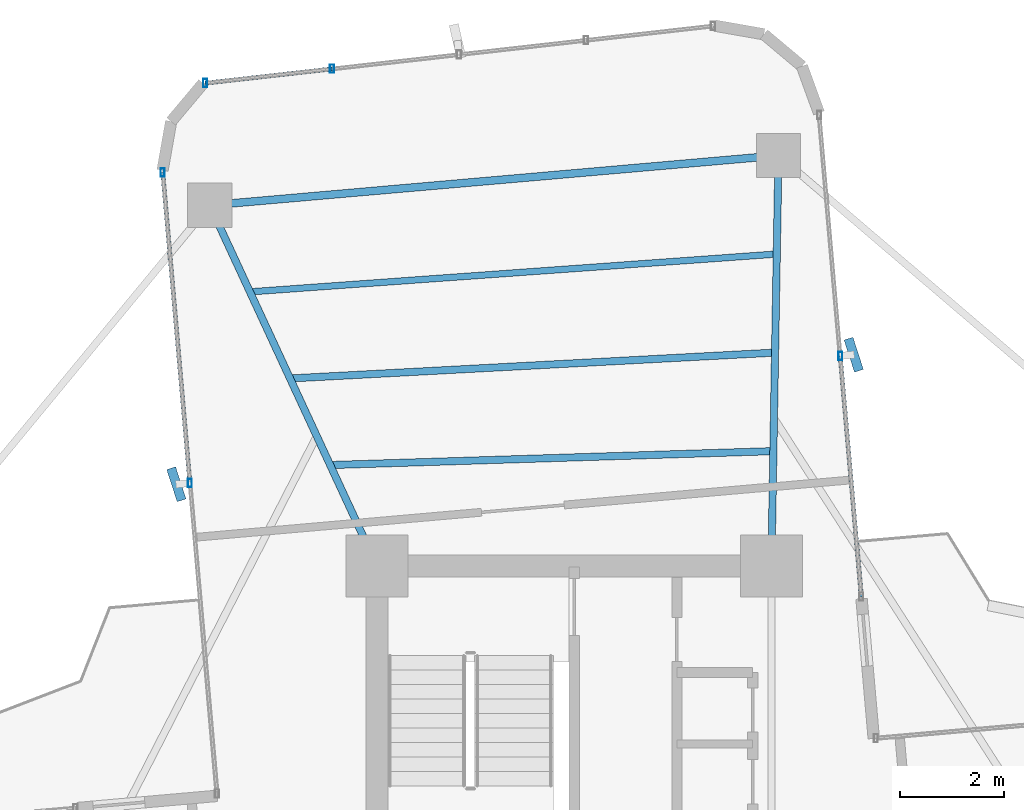
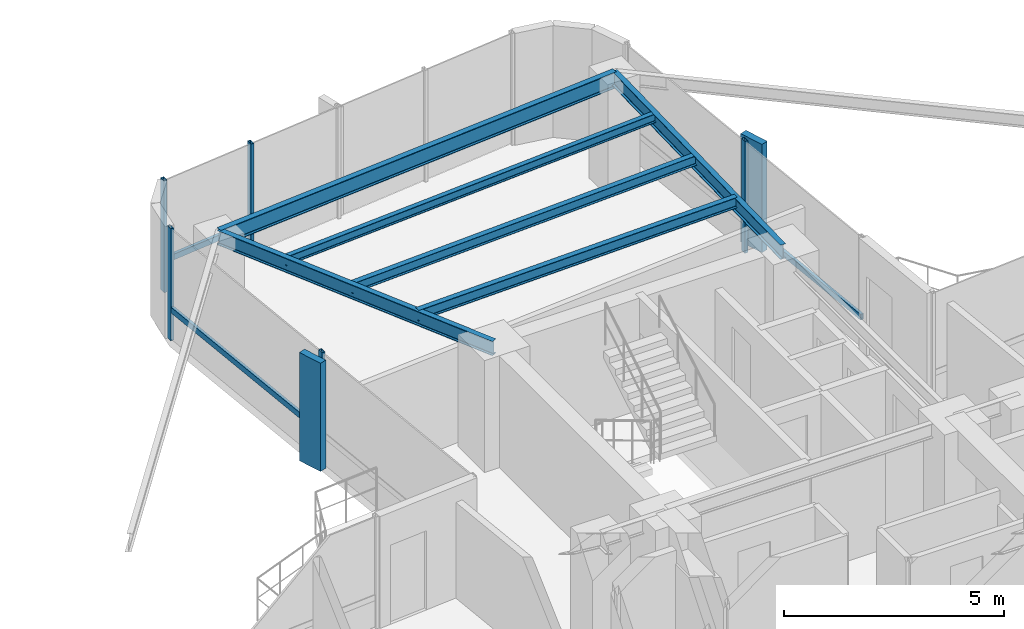
# One storey, part 16 of 24: 10 members, 6 beams, 3 elements without a shape of their own.
"""IFC4 building model written with IfcOpenShell, lengths in metres."""

import ifcopenshell
import ifcopenshell.guid

model = None  # the IFC model being written
_history = None  # IfcOwnerHistory: only IFC2X3 demands one
_inside = {}  # id of a spatial element -> (the spatial element, [elements in it])
_under = {}  # id of a project, library or spatial element -> (it, [spatial elements below it])
_declared = {}  # id of a project -> (the project, [libraries it declares])
_typed = {}  # id of a type object -> (the type object, [elements of that type])
_made_of = {}  # id of a material, layer set ... -> (it, [elements and type objects made of it])


def new_model(schema):
    """Start an empty IFC model of exactly this schema.

    Asked for "IFC4X3", IfcOpenShell would pick the latest addendum, in which some entities
    have other attributes; the version numbers below select the first issue.
    IFC2X3 requires an IfcOwnerHistory on every rooted entity: one is made here for all.
    """
    global model, _history
    if schema == "IFC4X3":
        model = ifcopenshell.file(schema_version=(4, 3, 0, 0))
    else:
        model = ifcopenshell.file(schema=schema)
    _inside.clear()
    _under.clear()
    _declared.clear()
    _typed.clear()
    _made_of.clear()
    _history = None
    if model.schema == "IFC2X3":
        org = make("IfcOrganization", Name="unknown")
        user = make(
            "IfcPersonAndOrganization",
            ThePerson=make("IfcPerson", FamilyName="unknown"),
            TheOrganization=org,
        )
        app = make(
            "IfcApplication",
            ApplicationDeveloper=org,
            Version="unknown",
            ApplicationFullName="unknown",
            ApplicationIdentifier="unknown",
        )
        _history = make(
            "IfcOwnerHistory",
            OwningUser=user,
            OwningApplication=app,
            ChangeAction="ADDED",
            CreationDate=0,
        )
    return model


def make(cls, **values):
    """One entity of the class cls with the attributes given. An attribute that is None is left unset."""
    return model.create_entity(
        cls, **{name: value for name, value in values.items() if value is not None}
    )


def rooted(cls, **values):
    """An entity with a GlobalId (a new one), such as an element, a storey or a relation."""
    return make(cls, GlobalId=ifcopenshell.guid.new(), OwnerHistory=_history, **values)


def si_unit(unit_type, name, prefix=None):
    """IfcSIUnit, for example si_unit("LENGTHUNIT", "METRE", prefix="MILLI")."""
    return make("IfcSIUnit", UnitType=unit_type, Prefix=prefix, Name=name)


def assignment(units):
    """IfcUnitAssignment: the units of a project."""
    return None if units is None else make("IfcUnitAssignment", Units=units)


def point(xyz):
    """IfcCartesianPoint."""
    return None if xyz is None else make("IfcCartesianPoint", Coordinates=xyz)


def direction(xyz):
    """IfcDirection."""
    return None if xyz is None else make("IfcDirection", DirectionRatios=xyz)


def frame(location, z_axis=None, x_axis=None):
    """IfcAxis2Placement3D, a coordinate frame: its origin and axes. An axis left out is left unset."""
    return make(
        "IfcAxis2Placement3D",
        Location=point(location),
        Axis=direction(z_axis),
        RefDirection=direction(x_axis),
    )


def frame_2d(location, x_axis=None):
    """IfcAxis2Placement2D, a coordinate frame in the plane: its origin and x axis."""
    return make(
        "IfcAxis2Placement2D", Location=point(location), RefDirection=direction(x_axis)
    )


def origin():
    """The frame at (0, 0, 0) with its axes left unset."""
    return frame((0.0, 0.0, 0.0))


def origin_2d():
    """The frame at (0, 0) in the plane with its x axis left unset."""
    return frame_2d((0.0, 0.0))


def place(relative_to, where):
    """IfcLocalPlacement: puts the frame where relative to a parent placement (None: the world)."""
    return make(
        "IfcLocalPlacement", PlacementRelTo=relative_to, RelativePlacement=where
    )


def context(
    kind, dimensions, precision=None, world=None, true_north=None, identifier=None
):
    """IfcGeometricRepresentationContext, for example the 3D "Model" context."""
    return make(
        "IfcGeometricRepresentationContext",
        ContextIdentifier=identifier,
        ContextType=kind,
        CoordinateSpaceDimension=dimensions,
        Precision=precision,
        WorldCoordinateSystem=world,
        TrueNorth=true_north,
    )


def subcontext(parent, identifier, kind, view, scale=None):
    """IfcGeometricRepresentationSubContext, for example "Body" below "Model"."""
    return make(
        "IfcGeometricRepresentationSubContext",
        ContextIdentifier=identifier,
        ContextType=kind,
        ParentContext=parent,
        TargetScale=scale,
        TargetView=view,
    )


def project(units=None, contexts=None):
    """IfcProject with its units and contexts."""
    return rooted(
        "IfcProject",
        Name="project",
        RepresentationContexts=contexts,
        UnitsInContext=assignment(units),
    )


def spatial(cls, under=None, at=None, **own):
    """A site, building, storey or space (cls), placed at a placement, below another one or the project."""
    s = rooted(cls, ObjectPlacement=at, **own)
    if under is not None:
        _under.setdefault(under.id(), (under, []))[1].append(s)
    return s


def profile(cls, at=None, kind="AREA", **sizes):
    """A parametric profile (cls). Its sizes go by their IFC names, for example OverallWidth=200.0."""
    return make(cls, ProfileType=kind, Position=at, **sizes)


def rectangle(**sizes):
    """IfcRectangleProfileDef."""
    return profile("IfcRectangleProfileDef", **sizes)


def hollow_rectangle(**sizes):
    """IfcRectangleHollowProfileDef."""
    return profile("IfcRectangleHollowProfileDef", **sizes)


def i_section(**sizes):
    """IfcIShapeProfileDef."""
    return profile("IfcIShapeProfileDef", **sizes)


def extrude(swept, where, along, depth):
    """IfcExtrudedAreaSolid: the profile swept, set in the frame where, extruded along a direction by depth."""
    return make(
        "IfcExtrudedAreaSolid",
        SweptArea=swept,
        Position=where,
        ExtrudedDirection=direction(along),
        Depth=depth,
    )


def shape(context_of_items, identifier, shape_type, items):
    """IfcShapeRepresentation: the items that make up one representation, for example the "Body"."""
    return make(
        "IfcShapeRepresentation",
        ContextOfItems=context_of_items,
        RepresentationIdentifier=identifier,
        RepresentationType=shape_type,
        Items=items,
    )


def source(mapping_origin, context_of_items, identifier, shape_type, items):
    """IfcRepresentationMap: a shape defined once, which mapped items show again and again."""
    return make(
        "IfcRepresentationMap",
        MappingOrigin=mapping_origin,
        MappedRepresentation=shape(context_of_items, identifier, shape_type, items),
    )


def transform(
    local_origin,
    x_axis=None,
    y_axis=None,
    z_axis=None,
    scale=None,
    scale2=None,
    scale3=None,
    uniform=True,
):
    """IfcCartesianTransformationOperator3D, or its non-uniform kind. x_axis, y_axis, z_axis: its Axis1, 2, 3."""
    if uniform:
        return make(
            "IfcCartesianTransformationOperator3D",
            Axis1=direction(x_axis),
            Axis2=direction(y_axis),
            LocalOrigin=point(local_origin),
            Scale=scale,
            Axis3=direction(z_axis),
        )
    return make(
        "IfcCartesianTransformationOperator3DnonUniform",
        Axis1=direction(x_axis),
        Axis2=direction(y_axis),
        LocalOrigin=point(local_origin),
        Scale=scale,
        Axis3=direction(z_axis),
        Scale2=scale2,
        Scale3=scale3,
    )


def mapped(mapping_source, mapping_target):
    """IfcMappedItem: shows the shape of a source again, moved by a transform."""
    return make(
        "IfcMappedItem", MappingSource=mapping_source, MappingTarget=mapping_target
    )


def material(Name=None, Category=None):
    """IfcMaterial."""
    return make("IfcMaterial", Name=Name, Category=Category)


def material_profile(
    of_material, cross_section, Name=None, Category=None, Priority=None
):
    """IfcMaterialProfile: a cross section and its material."""
    return make(
        "IfcMaterialProfile",
        Name=Name,
        Material=of_material,
        Profile=cross_section,
        Priority=Priority,
        Category=Category,
    )


def profile_set(profiles, Name=None, composite=None):
    """IfcMaterialProfileSet."""
    return make(
        "IfcMaterialProfileSet",
        Name=Name,
        MaterialProfiles=profiles,
        CompositeProfile=composite,
    )


def made_of(thing, what):
    """Note that an element or type object is made of a material, layer set ...; save() writes the relation."""
    if what is not None:
        _made_of.setdefault(what.id(), (what, []))[1].append(thing)
    return thing


def type_object(cls, material=None, **own):
    """A type object (cls), such as IfcWallType, which elements share."""
    return made_of(rooted(cls, **own), material)


def element(
    cls,
    number,
    at=None,
    inside=None,
    cuts=None,
    type_object=None,
    material=None,
    context=None,
    identifier="Body",
    shape_type=None,
    held_by="IfcProductDefinitionShape",
    body=None,
    shapes=None,
    **own,
):
    """One element of the class cls, such as IfcWall. Its Tag is "e" and its number.

    at: its placement. inside: the storey or other place that contains it. cuts: it is an
    opening in that element (IfcRelVoidsElement). A single representation is given by context,
    identifier, shape_type and body (its items); several are given by shapes. held_by: the class
    of the entity that holds the representations. save() writes the other relations.
    """
    e = rooted(cls, Tag="e%d" % number, ObjectPlacement=at, **own)
    if body is not None:
        shapes = [shape(context, identifier, shape_type, body)]
    if shapes is not None:
        e.Representation = make(held_by, Representations=shapes)
    if inside is not None:
        _inside.setdefault(inside.id(), (inside, []))[1].append(e)
    if cuts is not None:
        rooted(
            "IfcRelVoidsElement", RelatingBuildingElement=cuts, RelatedOpeningElement=e
        )
    if type_object is not None:
        _typed.setdefault(type_object.id(), (type_object, []))[1].append(e)
    return made_of(e, material)


def aggregate(whole, parts):
    """IfcRelAggregates: a whole, such as a stair, and the parts it consists of."""
    return rooted("IfcRelAggregates", RelatingObject=whole, RelatedObjects=parts)


def save(model, path):
    """Write the relations noted so far, then the file.

    IfcRelAggregates (storeys below a building ...), IfcRelContainedInSpatialStructure (elements
    in a storey), IfcRelDefinesByType, IfcRelAssociatesMaterial and IfcRelDeclares: one each for
    every whole, place, type object, material and project.
    """
    for whole, parts in _under.values():
        aggregate(whole, parts)
    for where, things in _inside.values():
        rooted(
            "IfcRelContainedInSpatialStructure",
            RelatedElements=things,
            RelatingStructure=where,
        )
    for kind, things in _typed.values():
        rooted("IfcRelDefinesByType", RelatedObjects=things, RelatingType=kind)
    for what, things in _made_of.values():
        rooted("IfcRelAssociatesMaterial", RelatedObjects=things, RelatingMaterial=what)
    for by, libraries in _declared.values():
        rooted("IfcRelDeclares", RelatingContext=by, RelatedDefinitions=libraries)
    model.write(path)


model = new_model("IFC4")

# Units and contexts
model_context = context("Model", 3, precision=1e-05, world=origin(), true_north=direction((0.0, 1.0)))
body_context = subcontext(model_context, "Body", "Model", "MODEL_VIEW")
ifc_project = project(units=[si_unit("LENGTHUNIT", "METRE"), si_unit("AREAUNIT", "SQUARE_METRE"), si_unit("VOLUMEUNIT", "CUBIC_METRE"), si_unit("PLANEANGLEUNIT", "RADIAN"), si_unit("MASSUNIT", "GRAM", prefix="KILO")], contexts=[model_context])

# Site, building, storey
site_placement = place(None, origin())
site = spatial("IfcSite", under=ifc_project, at=site_placement, CompositionType="ELEMENT")
building_placement = place(site_placement, origin())
building = spatial("IfcBuilding", under=site, at=building_placement, Name="Sahyath Konkavel Grand Hotel", CompositionType="ELEMENT")
storey_placement = place(building_placement, frame((0.0, 0.0, 195.300048828125)))
storey = spatial("IfcBuildingStorey", under=building, at=storey_placement, Name="L54", CompositionType="ELEMENT", Elevation=195.300048828125)

# Beams
ifc_material_1 = material(Name="Steel E350", Category="steel")
ifc_material_profile_1 = material_profile(ifc_material_1, i_section(OverallWidth=0.139892578125, OverallDepth=0.39990234375, WebThickness=0.0087890625, FlangeThickness=0.01611328125, FilletRadius=0.013916015625, at=origin_2d()), Name="ISMB 400")
ifc_profile_set_1 = profile_set([ifc_material_profile_1], Name="Steel E350")
beam_type_1 = type_object("IfcBeamType", Name="BM-ISMB400", PredefinedType="BEAM", material=ifc_profile_set_1)
shared_shape_1 = source(origin(), body_context, "Body", "SweptSolid", [
    extrude(i_section(OverallWidth=0.139892578125, OverallDepth=0.39990234375, WebThickness=0.0087890625, FlangeThickness=0.01611328125, FilletRadius=0.013916015625, at=origin_2d()), origin(), (0.0, 0.0, 1.0), 7.913330078125),
])
beam_1_placement = place(storey_placement, frame((3.800048828125, 10.199951171875, 2.909912109375), z_axis=(0.017215419232, 0.999851803689, 0.0), x_axis=(-0.999851803689, 0.017215419232, 0.0)))
element("IfcBeam", 1, at=beam_1_placement, inside=storey, type_object=beam_type_1, Name="L54 Cruciform Radial Girder NA", PredefinedType="BEAM", context=body_context, shape_type="MappedRepresentation", body=[
    mapped(shared_shape_1, transform((0.0, 0.0, 0.0), scale=1.0)),
])
shared_shape_2 = source(origin(), body_context, "Body", "SweptSolid", [
    extrude(i_section(OverallWidth=0.139892578125, OverallDepth=0.39990234375, WebThickness=0.0087890625, FlangeThickness=0.01611328125, FilletRadius=0.013916015625, at=origin_2d()), origin(), (0.0, 0.0, 1.0), 7.66357421875),
])
beam_2_placement = place(storey_placement, frame((-3.800048828125, 10.199951171875, 2.909912109375), z_axis=(-0.420395127561, 0.907341135804, 0.0), x_axis=(-0.907341135804, -0.420395127561, 0.0)))
element("IfcBeam", 2, at=beam_2_placement, inside=storey, type_object=beam_type_1, Name="L54 Cruciform Radial Girder NB", PredefinedType="BEAM", context=body_context, shape_type="MappedRepresentation", body=[
    mapped(shared_shape_2, transform((0.0, 0.0, 0.0), scale=1.0)),
])
ifc_material_profile_2 = material_profile(ifc_material_1, i_section(OverallWidth=0.14990234375, OverallDepth=0.449951171875, WebThickness=0.009521484375, FlangeThickness=0.017333984375, FilletRadius=0.014892578125, at=origin_2d()), Name="ISMB 450")
ifc_profile_set_2 = profile_set([ifc_material_profile_2], Name="Steel E350")
beam_type_2 = type_object("IfcBeamType", Name="BM-ISMB450", PredefinedType="BEAM", material=ifc_profile_set_2)
shared_shape_3 = source(origin(), body_context, "Body", "SweptSolid", [
    extrude(i_section(OverallWidth=0.14990234375, OverallDepth=0.449951171875, WebThickness=0.009521484375, FlangeThickness=0.017333984375, FilletRadius=0.014892578125, at=origin_2d()), origin(), (0.0, 0.0, 1.0), 10.999755859375),
])
beam_3_placement = place(storey_placement, frame((3.936279296875, 18.112060546875, 2.885009765625), z_axis=(-0.99619439202, -0.087159241098, 0.0), x_axis=(0.087159241098, -0.99619439202, 0.0)))
element("IfcBeam", 3, at=beam_3_placement, inside=storey, type_object=beam_type_2, Name="L54 Wing Tip Edge Beam N", PredefinedType="BEAM", context=body_context, shape_type="MappedRepresentation", body=[
    mapped(shared_shape_3, transform((0.0, 0.0, 0.0), scale=1.0)),
])
ifc_material_profile_3 = material_profile(ifc_material_1, i_section(OverallWidth=0.139892578125, OverallDepth=0.300048828125, WebThickness=0.0078125, FlangeThickness=0.01318359375, FilletRadius=0.013916015625, at=origin_2d()), Name="ISMB 300")
ifc_profile_set_3 = profile_set([ifc_material_profile_3], Name="Steel E350")
beam_type_3 = type_object("IfcBeamType", Name="BM-ISMB300", PredefinedType="BEAM", material=ifc_profile_set_3)
shared_shape_4 = source(origin(), body_context, "Body", "SweptSolid", [
    extrude(i_section(OverallWidth=0.139892578125, OverallDepth=0.300048828125, WebThickness=0.0078125, FlangeThickness=0.01318359375, FilletRadius=0.013916015625, at=origin_2d()), origin(), (0.0, 0.0, 1.0), 8.54443359375),
])
beam_4_placement = place(storey_placement, frame((3.838134765625, 12.415283203125, 2.9599609375), z_axis=(-0.999506849365, -0.031401561632, 0.0), x_axis=(0.031401561632, -0.999506849365, 0.0)))
element("IfcBeam", 4, at=beam_4_placement, inside=storey, type_object=beam_type_3, Name="L54 Secondary Floor Beam N-1", PredefinedType="BEAM", context=body_context, shape_type="MappedRepresentation", body=[
    mapped(shared_shape_4, transform((0.0, 0.0, 0.0), scale=1.0)),
])
ifc_material_profile_4 = material_profile(ifc_material_1, i_section(OverallWidth=0.139892578125, OverallDepth=0.27490234375, WebThickness=0.00634765625, FlangeThickness=0.0087890625, FilletRadius=0.012939453125, at=origin_2d()), Name="ISLB 275")
ifc_profile_set_4 = profile_set([ifc_material_profile_4], Name="Steel E350")
beam_type_4 = type_object("IfcBeamType", Name="BM-ISLB275", PredefinedType="BEAM", material=ifc_profile_set_4)
shared_shape_5 = source(origin(), body_context, "Body", "SweptSolid", [
    extrude(i_section(OverallWidth=0.139892578125, OverallDepth=0.27490234375, WebThickness=0.00634765625, FlangeThickness=0.0087890625, FilletRadius=0.012939453125, at=origin_2d()), origin(), (0.0, 0.0, 1.0), 9.359375),
])
beam_5_placement = place(storey_placement, frame((3.870849609375, 14.314208984375, 2.972412109375), z_axis=(-0.998580397723, -0.053265272769, 0.0), x_axis=(0.053265272769, -0.998580397723, 0.0)))
element("IfcBeam", 5, at=beam_5_placement, inside=storey, type_object=beam_type_4, Name="L54 Secondary Floor Beam N-2", PredefinedType="BEAM", context=body_context, shape_type="MappedRepresentation", body=[
    mapped(shared_shape_5, transform((0.0, 0.0, 0.0), scale=1.0)),
])
ifc_material_profile_5 = material_profile(ifc_material_1, i_section(OverallWidth=0.125, OverallDepth=0.25, WebThickness=0.0068359375, FlangeThickness=0.012451171875, FilletRadius=0.012939453125, at=origin_2d()), Name="ISMB 250")
ifc_profile_set_5 = profile_set([ifc_material_profile_5], Name="Steel E350")
beam_type_5 = type_object("IfcBeamType", Name="BM-ISMB250", PredefinedType="BEAM", material=ifc_profile_set_5)
shared_shape_6 = source(origin(), body_context, "Body", "SweptSolid", [
    extrude(i_section(OverallWidth=0.125, OverallDepth=0.25, WebThickness=0.0068359375, FlangeThickness=0.012451171875, FilletRadius=0.012939453125, at=origin_2d()), origin(), (0.0, 0.0, 1.0), 10.178466796875),
])
beam_6_placement = place(storey_placement, frame((3.90380859375, 16.213134765625, 2.98486328125), z_axis=(-0.997435268886, -0.071574327683, 0.0), x_axis=(0.071574327683, -0.997435268886, 0.0)))
element("IfcBeam", 6, at=beam_6_placement, inside=storey, type_object=beam_type_5, Name="L54 Secondary Floor Beam N-3", PredefinedType="BEAM", context=body_context, shape_type="MappedRepresentation", body=[
    mapped(shared_shape_6, transform((0.0, 0.0, 0.0), scale=1.0)),
])

# Curtain wall, member
ifc_material_2 = material(Name="Anodised Bronze Aluminium & Low-E Glazing", Category="aluminium")
curtain_wall_type = type_object("IfcCurtainWallType", Name="CW-ZONE3", PredefinedType="NOTDEFINED", material=ifc_material_2)
curtain_wall_1_placement = place(storey_placement, origin())
curtain_wall_1 = element("IfcCurtainWall", 7, at=curtain_wall_1_placement, inside=storey, type_object=curtain_wall_type, Name="L54 Unitised Curtain Wall F8", PredefinedType="NOTDEFINED")
ifc_material_3 = material(Name="Anodised Bronze Aluminium", Category="aluminium")
ifc_material_profile_6 = material_profile(ifc_material_3, hollow_rectangle(XDim=0.080078125, YDim=0.159912109375, WallThickness=0.006103515625, at=origin_2d()), Name="RHS 160x80x6")
ifc_profile_set_6 = profile_set([ifc_material_profile_6], Name="Anodised Bronze Aluminium")
member_type_1 = type_object("IfcMemberType", Name="CW-MUL-160", PredefinedType="MULLION", material=ifc_profile_set_6)
shared_shape_7 = source(origin(), body_context, "Body", "SweptSolid", [
    extrude(hollow_rectangle(XDim=0.080078125, YDim=0.159912109375, WallThickness=0.006103515625, at=origin_2d()), origin(), (0.0, 0.0, 1.0), 3.10986328125),
])
member_1_placement = place(storey_placement, frame((5.12744140625, 14.251220703125, 0.0), z_axis=(0.0, 0.0, 1.0), x_axis=(1.0, 0.0, 0.0)))
member_1 = element("IfcMember", 8, at=member_1_placement, type_object=member_type_1, Name="L54 Curtain Wall Mullion F8-1", PredefinedType="MULLION", context=body_context, shape_type="MappedRepresentation", body=[
    mapped(shared_shape_7, transform((0.0, 0.0, 0.0), scale=1.0)),
])

# Curtain wall, members
curtain_wall_2_placement = place(storey_placement, origin())
curtain_wall_2 = element("IfcCurtainWall", 9, at=curtain_wall_2_placement, inside=storey, type_object=curtain_wall_type, Name="L54 Unitised Curtain Wall F12", PredefinedType="NOTDEFINED")
member_2_placement = place(storey_placement, frame((-4.665771484375, 19.783203125, 0.0), z_axis=(0.0, 0.0, 1.0), x_axis=(1.0, 0.0, 0.0)))
member_2 = element("IfcMember", 10, at=member_2_placement, type_object=member_type_1, Name="L54 Curtain Wall Mullion F12-3", PredefinedType="MULLION", context=body_context, shape_type="MappedRepresentation", body=[
    mapped(shared_shape_7, transform((0.0, 0.0, 0.0), scale=1.0)),
])
member_3_placement = place(storey_placement, frame((-7.1123046875, 19.507568359375, 0.0), z_axis=(0.0, 0.0, 1.0), x_axis=(1.0, 0.0, 0.0)))
member_3 = element("IfcMember", 11, at=member_3_placement, type_object=member_type_1, Name="L54 Curtain Wall Mullion F12-4", PredefinedType="MULLION", context=body_context, shape_type="MappedRepresentation", body=[
    mapped(shared_shape_7, transform((0.0, 0.0, 0.0), scale=1.0)),
])

curtain_wall_3_placement = place(storey_placement, origin())
curtain_wall_3 = element("IfcCurtainWall", 12, at=curtain_wall_3_placement, inside=storey, type_object=curtain_wall_type, Name="L54 Unitised Curtain Wall F15", PredefinedType="NOTDEFINED")
member_4_placement = place(storey_placement, frame((-7.930419921875, 17.78662109375, 0.0), z_axis=(0.0, 0.0, 1.0), x_axis=(1.0, 0.0, 0.0)))
member_4 = element("IfcMember", 13, at=member_4_placement, type_object=member_type_1, Name="L54 Curtain Wall Mullion F15-0", PredefinedType="MULLION", context=body_context, shape_type="MappedRepresentation", body=[
    mapped(shared_shape_7, transform((0.0, 0.0, 0.0), scale=1.0)),
])
member_5_placement = place(storey_placement, frame((-7.406494140625, 11.79931640625, 0.0), z_axis=(0.0, 0.0, 1.0), x_axis=(1.0, 0.0, 0.0)))
member_5 = element("IfcMember", 14, at=member_5_placement, type_object=member_type_1, Name="L54 Curtain Wall Mullion F15-1", PredefinedType="MULLION", context=body_context, shape_type="MappedRepresentation", body=[
    mapped(shared_shape_7, transform((0.0, 0.0, 0.0), scale=1.0)),
])

# Member
ifc_material_4 = material(Name="Warm Buff Sandstone Cladding on Concrete C50/60", Category="masonry")
ifc_material_profile_7 = material_profile(ifc_material_4, rectangle(XDim=0.179931640625, YDim=0.64990234375, at=origin_2d()), Name="FIN 180x650")
ifc_profile_set_7 = profile_set([ifc_material_profile_7], Name="Warm Buff Sandstone Cladding on Concrete C50/60")
member_type_2 = type_object("IfcMemberType", Name="FIN-SANDSTONE-650", PredefinedType="MULLION", material=ifc_profile_set_7)
shared_shape_8 = source(origin(), body_context, "Body", "SweptSolid", [
    extrude(rectangle(XDim=0.179931640625, YDim=0.64990234375, at=origin_2d()), origin(), (0.0, 0.0, 1.0), 3.010009765625),
])
member_6_placement = place(storey_placement, frame((5.386474609375, 14.273681640625, 0.050048828125), z_axis=(0.0, 0.0, 1.0), x_axis=(0.951056516295, 0.309016994375, 0.0)))
member_6 = element("IfcMember", 15, at=member_6_placement, type_object=member_type_2, Name="L54 Sandstone Vertical Solar Fin FIN F8-1", PredefinedType="MULLION", context=body_context, shape_type="MappedRepresentation", body=[
    mapped(shared_shape_8, transform((0.0, 0.0, 0.0), scale=1.0)),
])

member_7_placement = place(storey_placement, frame((-7.66552734375, 11.776611328125, 0.050048828125), z_axis=(0.0, 0.0, 1.0), x_axis=(0.951056516295, 0.309016994375, 0.0)))
member_7 = element("IfcMember", 16, at=member_7_placement, type_object=member_type_2, Name="L54 Sandstone Vertical Solar Fin FIN F15-1", PredefinedType="MULLION", context=body_context, shape_type="MappedRepresentation", body=[
    mapped(shared_shape_8, transform((0.0, 0.0, 0.0), scale=1.0)),
])

ifc_material_profile_8 = material_profile(ifc_material_3, hollow_rectangle(XDim=0.080078125, YDim=0.159912109375, WallThickness=0.006103515625, at=origin_2d()), Name="RHS 160x80x6")
ifc_profile_set_8 = profile_set([ifc_material_profile_8], Name="Anodised Bronze Aluminium")
member_type_3 = type_object("IfcMemberType", Name="CW-TRN-160", PredefinedType="USERDEFINED", material=ifc_profile_set_8)
shared_shape_9 = source(origin(), body_context, "Body", "SweptSolid", [
    extrude(hollow_rectangle(XDim=0.080078125, YDim=0.159912109375, WallThickness=0.006103515625, at=origin_2d()), origin(), (0.0, 0.0, 1.0), 4.66015625),
])
member_8_placement = place(storey_placement, frame((5.53369140625, 9.60888671875, 0.849853515625), z_axis=(-0.087176698736, 0.996192864458, 0.0), x_axis=(-0.996192864458, -0.087176698736, 0.0)))
member_8 = element("IfcMember", 17, at=member_8_placement, type_object=member_type_3, Name="L54 Curtain Wall Transom F8-0-spandrel", ObjectType="TRANSOM", PredefinedType="USERDEFINED", context=body_context, shape_type="MappedRepresentation", body=[
    mapped(shared_shape_9, transform((0.0, 0.0, 0.0), scale=1.0)),
])

aggregate(curtain_wall_1, [member_1, member_6, member_8])

shared_shape_10 = source(origin(), body_context, "Body", "SweptSolid", [
    extrude(hollow_rectangle(XDim=0.080078125, YDim=0.159912109375, WallThickness=0.006103515625, at=origin_2d()), origin(), (0.0, 0.0, 1.0), 2.4619140625),
])
member_9_placement = place(storey_placement, frame((-4.665771484375, 19.783203125, 0.849853515625), z_axis=(-0.993713263833, -0.111955121731, 0.0), x_axis=(0.111955121731, -0.993713263833, 0.0)))
member_9 = element("IfcMember", 18, at=member_9_placement, type_object=member_type_3, Name="L54 Curtain Wall Transom F12-3-spandrel", ObjectType="TRANSOM", PredefinedType="USERDEFINED", context=body_context, shape_type="MappedRepresentation", body=[
    mapped(shared_shape_10, transform((0.0, 0.0, 0.0), scale=1.0)),
])

aggregate(curtain_wall_2, [member_2, member_3, member_9])

shared_shape_11 = source(origin(), body_context, "Body", "SweptSolid", [
    extrude(hollow_rectangle(XDim=0.080078125, YDim=0.159912109375, WallThickness=0.006103515625, at=origin_2d()), origin(), (0.0, 0.0, 1.0), 6.01025390625),
])
member_10_placement = place(storey_placement, frame((-7.930419921875, 17.78662109375, 0.849853515625), z_axis=(0.087172997156, -0.996193188376, 0.0), x_axis=(0.996193188376, 0.087172997156, 0.0)))
member_10 = element("IfcMember", 19, at=member_10_placement, type_object=member_type_3, Name="L54 Curtain Wall Transom F15-0-spandrel", ObjectType="TRANSOM", PredefinedType="USERDEFINED", context=body_context, shape_type="MappedRepresentation", body=[
    mapped(shared_shape_11, transform((0.0, 0.0, 0.0), scale=1.0)),
])

aggregate(curtain_wall_3, [member_4, member_5, member_7, member_10])

save(model, "model.ifc")
